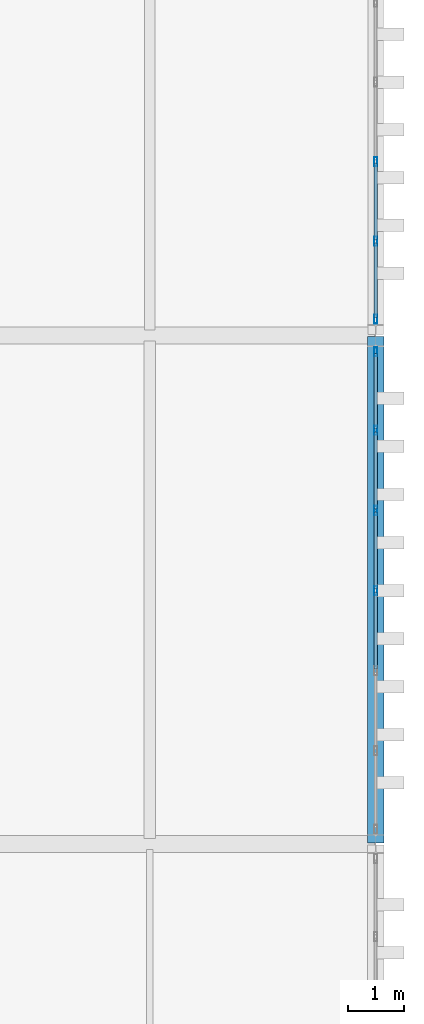
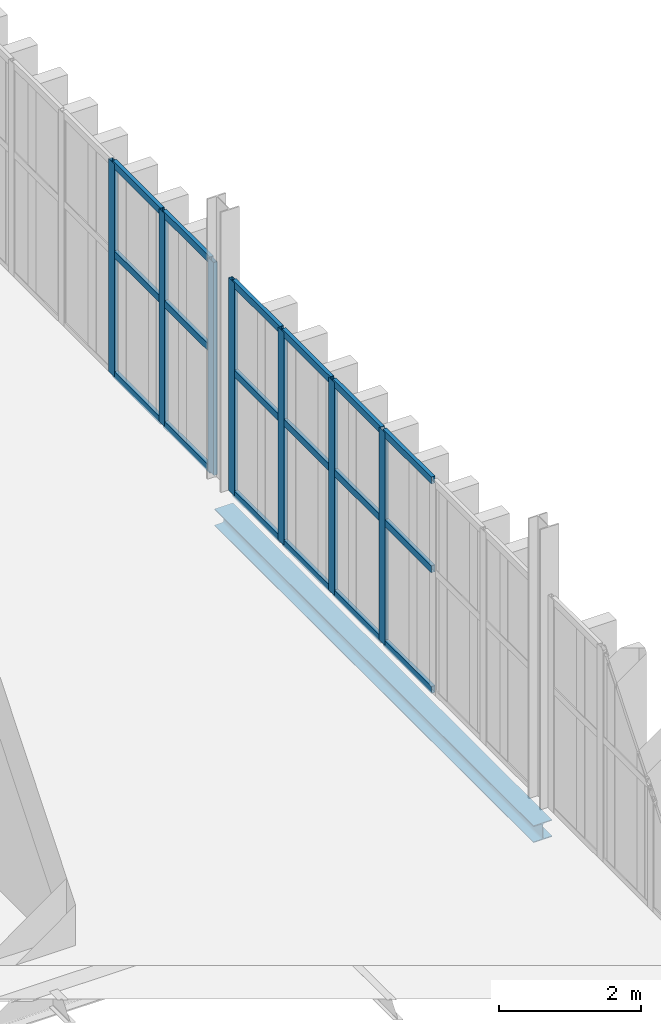
# One storey, part 125 of 196: 25 members, 1 beam, 2 elements without a shape of their own.
"""IFC4 building model written with IfcOpenShell, lengths in metres."""

import ifcopenshell
import ifcopenshell.guid

model = None  # the IFC model being written
_history = None  # IfcOwnerHistory: only IFC2X3 demands one
_inside = {}  # id of a spatial element -> (the spatial element, [elements in it])
_under = {}  # id of a project, library or spatial element -> (it, [spatial elements below it])
_declared = {}  # id of a project -> (the project, [libraries it declares])
_typed = {}  # id of a type object -> (the type object, [elements of that type])
_made_of = {}  # id of a material, layer set ... -> (it, [elements and type objects made of it])


def new_model(schema):
    """Start an empty IFC model of exactly this schema.

    Asked for "IFC4X3", IfcOpenShell would pick the latest addendum, in which some entities
    have other attributes; the version numbers below select the first issue.
    IFC2X3 requires an IfcOwnerHistory on every rooted entity: one is made here for all.
    """
    global model, _history
    if schema == "IFC4X3":
        model = ifcopenshell.file(schema_version=(4, 3, 0, 0))
    else:
        model = ifcopenshell.file(schema=schema)
    _inside.clear()
    _under.clear()
    _declared.clear()
    _typed.clear()
    _made_of.clear()
    _history = None
    if model.schema == "IFC2X3":
        org = make("IfcOrganization", Name="unknown")
        user = make(
            "IfcPersonAndOrganization",
            ThePerson=make("IfcPerson", FamilyName="unknown"),
            TheOrganization=org,
        )
        app = make(
            "IfcApplication",
            ApplicationDeveloper=org,
            Version="unknown",
            ApplicationFullName="unknown",
            ApplicationIdentifier="unknown",
        )
        _history = make(
            "IfcOwnerHistory",
            OwningUser=user,
            OwningApplication=app,
            ChangeAction="ADDED",
            CreationDate=0,
        )
    return model


def make(cls, **values):
    """One entity of the class cls with the attributes given. An attribute that is None is left unset."""
    return model.create_entity(
        cls, **{name: value for name, value in values.items() if value is not None}
    )


def rooted(cls, **values):
    """An entity with a GlobalId (a new one), such as an element, a storey or a relation."""
    return make(cls, GlobalId=ifcopenshell.guid.new(), OwnerHistory=_history, **values)


def si_unit(unit_type, name, prefix=None):
    """IfcSIUnit, for example si_unit("LENGTHUNIT", "METRE", prefix="MILLI")."""
    return make("IfcSIUnit", UnitType=unit_type, Prefix=prefix, Name=name)


def assignment(units):
    """IfcUnitAssignment: the units of a project."""
    return None if units is None else make("IfcUnitAssignment", Units=units)


def point(xyz):
    """IfcCartesianPoint."""
    return None if xyz is None else make("IfcCartesianPoint", Coordinates=xyz)


def direction(xyz):
    """IfcDirection."""
    return None if xyz is None else make("IfcDirection", DirectionRatios=xyz)


def frame(location, z_axis=None, x_axis=None):
    """IfcAxis2Placement3D, a coordinate frame: its origin and axes. An axis left out is left unset."""
    return make(
        "IfcAxis2Placement3D",
        Location=point(location),
        Axis=direction(z_axis),
        RefDirection=direction(x_axis),
    )


def frame_2d(location, x_axis=None):
    """IfcAxis2Placement2D, a coordinate frame in the plane: its origin and x axis."""
    return make(
        "IfcAxis2Placement2D", Location=point(location), RefDirection=direction(x_axis)
    )


def origin():
    """The frame at (0, 0, 0) with its axes left unset."""
    return frame((0.0, 0.0, 0.0))


def origin_2d():
    """The frame at (0, 0) in the plane with its x axis left unset."""
    return frame_2d((0.0, 0.0))


def place(relative_to, where):
    """IfcLocalPlacement: puts the frame where relative to a parent placement (None: the world)."""
    return make(
        "IfcLocalPlacement", PlacementRelTo=relative_to, RelativePlacement=where
    )


def context(
    kind, dimensions, precision=None, world=None, true_north=None, identifier=None
):
    """IfcGeometricRepresentationContext, for example the 3D "Model" context."""
    return make(
        "IfcGeometricRepresentationContext",
        ContextIdentifier=identifier,
        ContextType=kind,
        CoordinateSpaceDimension=dimensions,
        Precision=precision,
        WorldCoordinateSystem=world,
        TrueNorth=true_north,
    )


def subcontext(parent, identifier, kind, view, scale=None):
    """IfcGeometricRepresentationSubContext, for example "Body" below "Model"."""
    return make(
        "IfcGeometricRepresentationSubContext",
        ContextIdentifier=identifier,
        ContextType=kind,
        ParentContext=parent,
        TargetScale=scale,
        TargetView=view,
    )


def project(units=None, contexts=None):
    """IfcProject with its units and contexts."""
    return rooted(
        "IfcProject",
        Name="project",
        RepresentationContexts=contexts,
        UnitsInContext=assignment(units),
    )


def spatial(cls, under=None, at=None, **own):
    """A site, building, storey or space (cls), placed at a placement, below another one or the project."""
    s = rooted(cls, ObjectPlacement=at, **own)
    if under is not None:
        _under.setdefault(under.id(), (under, []))[1].append(s)
    return s


def profile(cls, at=None, kind="AREA", **sizes):
    """A parametric profile (cls). Its sizes go by their IFC names, for example OverallWidth=200.0."""
    return make(cls, ProfileType=kind, Position=at, **sizes)


def hollow_rectangle(**sizes):
    """IfcRectangleHollowProfileDef."""
    return profile("IfcRectangleHollowProfileDef", **sizes)


def i_section(**sizes):
    """IfcIShapeProfileDef."""
    return profile("IfcIShapeProfileDef", **sizes)


def extrude(swept, where, along, depth):
    """IfcExtrudedAreaSolid: the profile swept, set in the frame where, extruded along a direction by depth."""
    return make(
        "IfcExtrudedAreaSolid",
        SweptArea=swept,
        Position=where,
        ExtrudedDirection=direction(along),
        Depth=depth,
    )


def shape(context_of_items, identifier, shape_type, items):
    """IfcShapeRepresentation: the items that make up one representation, for example the "Body"."""
    return make(
        "IfcShapeRepresentation",
        ContextOfItems=context_of_items,
        RepresentationIdentifier=identifier,
        RepresentationType=shape_type,
        Items=items,
    )


def material(Name=None, Category=None):
    """IfcMaterial."""
    return make("IfcMaterial", Name=Name, Category=Category)


def layer(
    of_material, thickness, ventilated=None, Name=None, Category=None, Priority=None
):
    """IfcMaterialLayer: one layer of a wall or slab, of a material (None: an air gap)."""
    return make(
        "IfcMaterialLayer",
        Material=of_material,
        LayerThickness=thickness,
        IsVentilated=ventilated,
        Name=Name,
        Category=Category,
        Priority=Priority,
    )


def layer_set(layers, Name=None):
    """IfcMaterialLayerSet."""
    return make("IfcMaterialLayerSet", MaterialLayers=layers, LayerSetName=Name)


def material_profile(
    of_material, cross_section, Name=None, Category=None, Priority=None
):
    """IfcMaterialProfile: a cross section and its material."""
    return make(
        "IfcMaterialProfile",
        Name=Name,
        Material=of_material,
        Profile=cross_section,
        Priority=Priority,
        Category=Category,
    )


def profile_set(profiles, Name=None, composite=None):
    """IfcMaterialProfileSet."""
    return make(
        "IfcMaterialProfileSet",
        Name=Name,
        MaterialProfiles=profiles,
        CompositeProfile=composite,
    )


def made_of(thing, what):
    """Note that an element or type object is made of a material, layer set ...; save() writes the relation."""
    if what is not None:
        _made_of.setdefault(what.id(), (what, []))[1].append(thing)
    return thing


def type_object(cls, material=None, **own):
    """A type object (cls), such as IfcWallType, which elements share."""
    return made_of(rooted(cls, **own), material)


def element(
    cls,
    number,
    at=None,
    inside=None,
    cuts=None,
    type_object=None,
    material=None,
    context=None,
    identifier="Body",
    shape_type=None,
    held_by="IfcProductDefinitionShape",
    body=None,
    shapes=None,
    **own,
):
    """One element of the class cls, such as IfcWall. Its Tag is "e" and its number.

    at: its placement. inside: the storey or other place that contains it. cuts: it is an
    opening in that element (IfcRelVoidsElement). A single representation is given by context,
    identifier, shape_type and body (its items); several are given by shapes. held_by: the class
    of the entity that holds the representations. save() writes the other relations.
    """
    e = rooted(cls, Tag="e%d" % number, ObjectPlacement=at, **own)
    if body is not None:
        shapes = [shape(context, identifier, shape_type, body)]
    if shapes is not None:
        e.Representation = make(held_by, Representations=shapes)
    if inside is not None:
        _inside.setdefault(inside.id(), (inside, []))[1].append(e)
    if cuts is not None:
        rooted(
            "IfcRelVoidsElement", RelatingBuildingElement=cuts, RelatedOpeningElement=e
        )
    if type_object is not None:
        _typed.setdefault(type_object.id(), (type_object, []))[1].append(e)
    return made_of(e, material)


def aggregate(whole, parts):
    """IfcRelAggregates: a whole, such as a stair, and the parts it consists of."""
    return rooted("IfcRelAggregates", RelatingObject=whole, RelatedObjects=parts)


def save(model, path):
    """Write the relations noted so far, then the file.

    IfcRelAggregates (storeys below a building ...), IfcRelContainedInSpatialStructure (elements
    in a storey), IfcRelDefinesByType, IfcRelAssociatesMaterial and IfcRelDeclares: one each for
    every whole, place, type object, material and project.
    """
    for whole, parts in _under.values():
        aggregate(whole, parts)
    for where, things in _inside.values():
        rooted(
            "IfcRelContainedInSpatialStructure",
            RelatedElements=things,
            RelatingStructure=where,
        )
    for kind, things in _typed.values():
        rooted("IfcRelDefinesByType", RelatedObjects=things, RelatingType=kind)
    for what, things in _made_of.values():
        rooted("IfcRelAssociatesMaterial", RelatedObjects=things, RelatingMaterial=what)
    for by, libraries in _declared.values():
        rooted("IfcRelDeclares", RelatingContext=by, RelatedDefinitions=libraries)
    model.write(path)


model = new_model("IFC4")

# Units and contexts
model_context = context("Model", 3, precision=1e-05, world=origin(), true_north=direction((0.0, 1.0)))
body_context = subcontext(model_context, "Body", "Model", "MODEL_VIEW")
ifc_project = project(units=[si_unit("LENGTHUNIT", "METRE"), si_unit("AREAUNIT", "SQUARE_METRE"), si_unit("VOLUMEUNIT", "CUBIC_METRE"), si_unit("PLANEANGLEUNIT", "RADIAN"), si_unit("MASSUNIT", "GRAM", prefix="KILO")], contexts=[model_context])

# Site, building, storey
site_placement = place(None, origin())
site = spatial("IfcSite", under=ifc_project, at=site_placement, CompositionType="ELEMENT")
building_placement = place(site_placement, origin())
building = spatial("IfcBuilding", under=site, at=building_placement, Name="Barlavento Convention Centre", CompositionType="ELEMENT")
storey_placement = place(building_placement, frame((0.0, 0.0, 18.0)))
storey = spatial("IfcBuildingStorey", under=building, at=storey_placement, Name="L03", CompositionType="ELEMENT", Elevation=18.0)

# Curtain wall, members
ifc_material_1 = material(Name="Powder-coated aluminium and Low-E glass", Category="aluminium")
ifc_layer = layer(ifc_material_1, 0.179931640625)
ifc_layer_set = layer_set([ifc_layer], Name="ARC-CW-CONF-L03")
curtain_wall_type = type_object("IfcCurtainWallType", Name="ARC-CW-CONF-L03", PredefinedType="NOTDEFINED", material=ifc_layer_set)
curtain_wall_1_placement = place(storey_placement, origin())
curtain_wall_1 = element("IfcCurtainWall", 1, at=curtain_wall_1_placement, inside=storey, type_object=curtain_wall_type, Name="L03 unitised curtain wall CW08", PredefinedType="NOTDEFINED")
ifc_material_2 = material(Name="Powder-coated aluminium", Category="aluminium")
ifc_material_profile_1 = material_profile(ifc_material_2, hollow_rectangle(XDim=0.06005859375, YDim=0.159912109375, WallThickness=0.00390625, at=origin_2d()), Name="AL-MULL 60x160x4")
ifc_profile_set_1 = profile_set([ifc_material_profile_1], Name="Powder-coated aluminium")
member_type_1 = type_object("IfcMemberType", Name="ARC-CWM-60X160", PredefinedType="MULLION", material=ifc_profile_set_1)
member_1_placement = place(storey_placement, frame((192.0, 13.485107421875, 0.0), z_axis=(0.0, 0.0, 1.0), x_axis=(-1.0, 0.0, 0.0)))
member_1 = element("IfcMember", 2, at=member_1_placement, type_object=member_type_1, Name="CW08 mullion 4", PredefinedType="MULLION", context=body_context, shape_type="SweptSolid", body=[
    extrude(hollow_rectangle(XDim=0.06005859375, YDim=0.159912109375, WallThickness=0.00390625, at=origin_2d()), origin(), (0.0, 0.0, 1.0), 3.64990234375),
])
member_2_placement = place(storey_placement, frame((192.0, 14.9033203125, 0.0), z_axis=(0.0, 0.0, 1.0), x_axis=(-1.0, 0.0, 0.0)))
member_2 = element("IfcMember", 3, at=member_2_placement, type_object=member_type_1, Name="CW08 mullion 5", PredefinedType="MULLION", context=body_context, shape_type="SweptSolid", body=[
    extrude(hollow_rectangle(XDim=0.06005859375, YDim=0.159912109375, WallThickness=0.00390625, at=origin_2d()), origin(), (0.0, 0.0, 1.0), 3.64990234375),
])
member_3_placement = place(storey_placement, frame((192.0, 16.32177734375, 0.0), z_axis=(0.0, 0.0, 1.0), x_axis=(-1.0, 0.0, 0.0)))
member_3 = element("IfcMember", 4, at=member_3_placement, type_object=member_type_1, Name="CW08 mullion 6", PredefinedType="MULLION", context=body_context, shape_type="SweptSolid", body=[
    extrude(hollow_rectangle(XDim=0.06005859375, YDim=0.159912109375, WallThickness=0.00390625, at=origin_2d()), origin(), (0.0, 0.0, 1.0), 3.64990234375),
])
member_4_placement = place(storey_placement, frame((192.0, 17.7099609375, 0.0), z_axis=(0.0, 0.0, 1.0), x_axis=(-1.0, 0.0, 0.0)))
member_4 = element("IfcMember", 5, at=member_4_placement, type_object=member_type_1, Name="CW08 mullion 7", PredefinedType="MULLION", context=body_context, shape_type="SweptSolid", body=[
    extrude(hollow_rectangle(XDim=0.06005859375, YDim=0.159912109375, WallThickness=0.00390625, at=origin_2d()), origin(), (0.0, 0.0, 1.0), 3.64990234375),
])

curtain_wall_2_placement = place(storey_placement, origin())
curtain_wall_2 = element("IfcCurtainWall", 6, at=curtain_wall_2_placement, inside=storey, type_object=curtain_wall_type, Name="L03 unitised curtain wall CW08", PredefinedType="NOTDEFINED")
member_5_placement = place(storey_placement, frame((192.0, 18.2900390625, 0.0), z_axis=(0.0, 0.0, 1.0), x_axis=(-1.0, 0.0, 0.0)))
member_5 = element("IfcMember", 7, at=member_5_placement, type_object=member_type_1, Name="CW08 mullion 1", PredefinedType="MULLION", context=body_context, shape_type="SweptSolid", body=[
    extrude(hollow_rectangle(XDim=0.06005859375, YDim=0.159912109375, WallThickness=0.00390625, at=origin_2d()), origin(), (0.0, 0.0, 1.0), 3.64990234375),
])
member_6_placement = place(storey_placement, frame((192.0, 19.669189453125, 0.0), z_axis=(0.0, 0.0, 1.0), x_axis=(-1.0, 0.0, 0.0)))
member_6 = element("IfcMember", 8, at=member_6_placement, type_object=member_type_1, Name="CW08 mullion 2", PredefinedType="MULLION", context=body_context, shape_type="SweptSolid", body=[
    extrude(hollow_rectangle(XDim=0.06005859375, YDim=0.159912109375, WallThickness=0.00390625, at=origin_2d()), origin(), (0.0, 0.0, 1.0), 3.64990234375),
])
member_7_placement = place(storey_placement, frame((192.0, 21.078369140625, 0.0), z_axis=(0.0, 0.0, 1.0), x_axis=(-1.0, 0.0, 0.0)))
member_7 = element("IfcMember", 9, at=member_7_placement, type_object=member_type_1, Name="CW08 mullion 3", PredefinedType="MULLION", context=body_context, shape_type="SweptSolid", body=[
    extrude(hollow_rectangle(XDim=0.06005859375, YDim=0.159912109375, WallThickness=0.00390625, at=origin_2d()), origin(), (0.0, 0.0, 1.0), 3.64990234375),
])

# Member
ifc_material_profile_2 = material_profile(ifc_material_2, hollow_rectangle(XDim=0.06005859375, YDim=0.1201171875, WallThickness=0.00390625, at=origin_2d()), Name="AL-TRAN 60x120x4")
ifc_profile_set_2 = profile_set([ifc_material_profile_2], Name="Powder-coated aluminium")
member_type_2 = type_object("IfcMemberType", Name="ARC-CWT-60X120", PredefinedType="USERDEFINED", material=ifc_profile_set_2)
member_8_placement = place(storey_placement, frame((192.0, 12.0966796875, 0.030029296875), z_axis=(0.0, 1.0, 0.0), x_axis=(-1.0, 0.0, 0.0)))
member_8 = element("IfcMember", 10, at=member_8_placement, type_object=member_type_2, Name="CW08 transom 3.1", ObjectType="TRANSOM", PredefinedType="USERDEFINED", context=body_context, shape_type="SweptSolid", body=[
    extrude(hollow_rectangle(XDim=0.06005859375, YDim=0.1201171875, WallThickness=0.00390625, at=origin_2d()), origin(), (0.0, 0.0, 1.0), 1.3583984375),
])

member_9_placement = place(storey_placement, frame((192.0, 12.0966796875, 2.10009765625), z_axis=(0.0, 1.0, 0.0), x_axis=(-1.0, 0.0, 0.0)))
member_9 = element("IfcMember", 11, at=member_9_placement, type_object=member_type_2, Name="CW08 transom 3.2", ObjectType="TRANSOM", PredefinedType="USERDEFINED", context=body_context, shape_type="SweptSolid", body=[
    extrude(hollow_rectangle(XDim=0.06005859375, YDim=0.1201171875, WallThickness=0.00390625, at=origin_2d()), origin(), (0.0, 0.0, 1.0), 1.3583984375),
])

member_10_placement = place(storey_placement, frame((192.0, 12.0966796875, 3.6201171875), z_axis=(0.0, 1.0, 0.0), x_axis=(-1.0, 0.0, 0.0)))
member_10 = element("IfcMember", 12, at=member_10_placement, type_object=member_type_2, Name="CW08 transom 3.3", ObjectType="TRANSOM", PredefinedType="USERDEFINED", context=body_context, shape_type="SweptSolid", body=[
    extrude(hollow_rectangle(XDim=0.06005859375, YDim=0.1201171875, WallThickness=0.00390625, at=origin_2d()), origin(), (0.0, 0.0, 1.0), 1.3583984375),
])

member_11_placement = place(storey_placement, frame((192.0, 13.514892578125, 0.030029296875), z_axis=(0.0, 1.0, 0.0), x_axis=(-1.0, 0.0, 0.0)))
member_11 = element("IfcMember", 13, at=member_11_placement, type_object=member_type_2, Name="CW08 transom 4.1", ObjectType="TRANSOM", PredefinedType="USERDEFINED", context=body_context, shape_type="SweptSolid", body=[
    extrude(hollow_rectangle(XDim=0.06005859375, YDim=0.1201171875, WallThickness=0.00390625, at=origin_2d()), origin(), (0.0, 0.0, 1.0), 1.3583984375),
])

member_12_placement = place(storey_placement, frame((192.0, 13.514892578125, 2.10009765625), z_axis=(0.0, 1.0, 0.0), x_axis=(-1.0, 0.0, 0.0)))
member_12 = element("IfcMember", 14, at=member_12_placement, type_object=member_type_2, Name="CW08 transom 4.2", ObjectType="TRANSOM", PredefinedType="USERDEFINED", context=body_context, shape_type="SweptSolid", body=[
    extrude(hollow_rectangle(XDim=0.06005859375, YDim=0.1201171875, WallThickness=0.00390625, at=origin_2d()), origin(), (0.0, 0.0, 1.0), 1.3583984375),
])

member_13_placement = place(storey_placement, frame((192.0, 13.514892578125, 3.6201171875), z_axis=(0.0, 1.0, 0.0), x_axis=(-1.0, 0.0, 0.0)))
member_13 = element("IfcMember", 15, at=member_13_placement, type_object=member_type_2, Name="CW08 transom 4.3", ObjectType="TRANSOM", PredefinedType="USERDEFINED", context=body_context, shape_type="SweptSolid", body=[
    extrude(hollow_rectangle(XDim=0.06005859375, YDim=0.1201171875, WallThickness=0.00390625, at=origin_2d()), origin(), (0.0, 0.0, 1.0), 1.3583984375),
])

member_14_placement = place(storey_placement, frame((192.0, 14.933349609375, 0.030029296875), z_axis=(0.0, 1.0, 0.0), x_axis=(-1.0, 0.0, 0.0)))
member_14 = element("IfcMember", 16, at=member_14_placement, type_object=member_type_2, Name="CW08 transom 5.1", ObjectType="TRANSOM", PredefinedType="USERDEFINED", context=body_context, shape_type="SweptSolid", body=[
    extrude(hollow_rectangle(XDim=0.06005859375, YDim=0.1201171875, WallThickness=0.00390625, at=origin_2d()), origin(), (0.0, 0.0, 1.0), 1.3583984375),
])

member_15_placement = place(storey_placement, frame((192.0, 14.933349609375, 2.10009765625), z_axis=(0.0, 1.0, 0.0), x_axis=(-1.0, 0.0, 0.0)))
member_15 = element("IfcMember", 17, at=member_15_placement, type_object=member_type_2, Name="CW08 transom 5.2", ObjectType="TRANSOM", PredefinedType="USERDEFINED", context=body_context, shape_type="SweptSolid", body=[
    extrude(hollow_rectangle(XDim=0.06005859375, YDim=0.1201171875, WallThickness=0.00390625, at=origin_2d()), origin(), (0.0, 0.0, 1.0), 1.3583984375),
])

member_16_placement = place(storey_placement, frame((192.0, 14.933349609375, 3.6201171875), z_axis=(0.0, 1.0, 0.0), x_axis=(-1.0, 0.0, 0.0)))
member_16 = element("IfcMember", 18, at=member_16_placement, type_object=member_type_2, Name="CW08 transom 5.3", ObjectType="TRANSOM", PredefinedType="USERDEFINED", context=body_context, shape_type="SweptSolid", body=[
    extrude(hollow_rectangle(XDim=0.06005859375, YDim=0.1201171875, WallThickness=0.00390625, at=origin_2d()), origin(), (0.0, 0.0, 1.0), 1.3583984375),
])

member_17_placement = place(storey_placement, frame((192.0, 16.3515625, 0.030029296875), z_axis=(0.0, 1.0, 0.0), x_axis=(-1.0, 0.0, 0.0)))
member_17 = element("IfcMember", 19, at=member_17_placement, type_object=member_type_2, Name="CW08 transom 6.1", ObjectType="TRANSOM", PredefinedType="USERDEFINED", context=body_context, shape_type="SweptSolid", body=[
    extrude(hollow_rectangle(XDim=0.06005859375, YDim=0.1201171875, WallThickness=0.00390625, at=origin_2d()), origin(), (0.0, 0.0, 1.0), 1.328369140625),
])

member_18_placement = place(storey_placement, frame((192.0, 16.3515625, 2.10009765625), z_axis=(0.0, 1.0, 0.0), x_axis=(-1.0, 0.0, 0.0)))
member_18 = element("IfcMember", 20, at=member_18_placement, type_object=member_type_2, Name="CW08 transom 6.2", ObjectType="TRANSOM", PredefinedType="USERDEFINED", context=body_context, shape_type="SweptSolid", body=[
    extrude(hollow_rectangle(XDim=0.06005859375, YDim=0.1201171875, WallThickness=0.00390625, at=origin_2d()), origin(), (0.0, 0.0, 1.0), 1.328369140625),
])

member_19_placement = place(storey_placement, frame((192.0, 16.3515625, 3.6201171875), z_axis=(0.0, 1.0, 0.0), x_axis=(-1.0, 0.0, 0.0)))
member_19 = element("IfcMember", 21, at=member_19_placement, type_object=member_type_2, Name="CW08 transom 6.3", ObjectType="TRANSOM", PredefinedType="USERDEFINED", context=body_context, shape_type="SweptSolid", body=[
    extrude(hollow_rectangle(XDim=0.06005859375, YDim=0.1201171875, WallThickness=0.00390625, at=origin_2d()), origin(), (0.0, 0.0, 1.0), 1.328369140625),
])

aggregate(curtain_wall_1, [member_1, member_2, member_3, member_4, member_8, member_9, member_10, member_11, member_12, member_13, member_14, member_15, member_16, member_17, member_18, member_19])

member_20_placement = place(storey_placement, frame((192.0, 18.320068359375, 0.030029296875), z_axis=(0.0, 1.0, 0.0), x_axis=(-1.0, 0.0, 0.0)))
member_20 = element("IfcMember", 22, at=member_20_placement, type_object=member_type_2, Name="CW08 transom 1.1", ObjectType="TRANSOM", PredefinedType="USERDEFINED", context=body_context, shape_type="SweptSolid", body=[
    extrude(hollow_rectangle(XDim=0.06005859375, YDim=0.1201171875, WallThickness=0.00390625, at=origin_2d()), origin(), (0.0, 0.0, 1.0), 1.319091796875),
])

member_21_placement = place(storey_placement, frame((192.0, 18.320068359375, 2.10009765625), z_axis=(0.0, 1.0, 0.0), x_axis=(-1.0, 0.0, 0.0)))
member_21 = element("IfcMember", 23, at=member_21_placement, type_object=member_type_2, Name="CW08 transom 1.2", ObjectType="TRANSOM", PredefinedType="USERDEFINED", context=body_context, shape_type="SweptSolid", body=[
    extrude(hollow_rectangle(XDim=0.06005859375, YDim=0.1201171875, WallThickness=0.00390625, at=origin_2d()), origin(), (0.0, 0.0, 1.0), 1.319091796875),
])

member_22_placement = place(storey_placement, frame((192.0, 18.320068359375, 3.6201171875), z_axis=(0.0, 1.0, 0.0), x_axis=(-1.0, 0.0, 0.0)))
member_22 = element("IfcMember", 24, at=member_22_placement, type_object=member_type_2, Name="CW08 transom 1.3", ObjectType="TRANSOM", PredefinedType="USERDEFINED", context=body_context, shape_type="SweptSolid", body=[
    extrude(hollow_rectangle(XDim=0.06005859375, YDim=0.1201171875, WallThickness=0.00390625, at=origin_2d()), origin(), (0.0, 0.0, 1.0), 1.319091796875),
])

member_23_placement = place(storey_placement, frame((192.0, 19.69921875, 0.030029296875), z_axis=(0.0, 1.0, 0.0), x_axis=(-1.0, 0.0, 0.0)))
member_23 = element("IfcMember", 25, at=member_23_placement, type_object=member_type_2, Name="CW08 transom 2.1", ObjectType="TRANSOM", PredefinedType="USERDEFINED", context=body_context, shape_type="SweptSolid", body=[
    extrude(hollow_rectangle(XDim=0.06005859375, YDim=0.1201171875, WallThickness=0.00390625, at=origin_2d()), origin(), (0.0, 0.0, 1.0), 1.34912109375),
])

member_24_placement = place(storey_placement, frame((192.0, 19.69921875, 2.10009765625), z_axis=(0.0, 1.0, 0.0), x_axis=(-1.0, 0.0, 0.0)))
member_24 = element("IfcMember", 26, at=member_24_placement, type_object=member_type_2, Name="CW08 transom 2.2", ObjectType="TRANSOM", PredefinedType="USERDEFINED", context=body_context, shape_type="SweptSolid", body=[
    extrude(hollow_rectangle(XDim=0.06005859375, YDim=0.1201171875, WallThickness=0.00390625, at=origin_2d()), origin(), (0.0, 0.0, 1.0), 1.34912109375),
])

member_25_placement = place(storey_placement, frame((192.0, 19.69921875, 3.6201171875), z_axis=(0.0, 1.0, 0.0), x_axis=(-1.0, 0.0, 0.0)))
member_25 = element("IfcMember", 27, at=member_25_placement, type_object=member_type_2, Name="CW08 transom 2.3", ObjectType="TRANSOM", PredefinedType="USERDEFINED", context=body_context, shape_type="SweptSolid", body=[
    extrude(hollow_rectangle(XDim=0.06005859375, YDim=0.1201171875, WallThickness=0.00390625, at=origin_2d()), origin(), (0.0, 0.0, 1.0), 1.34912109375),
])

aggregate(curtain_wall_2, [member_5, member_6, member_7, member_20, member_21, member_22, member_23, member_24, member_25])

# Beam
ifc_material_3 = material(Name="Steel S355", Category="steel")
ifc_material_profile_3 = material_profile(ifc_material_3, i_section(OverallWidth=0.300048828125, OverallDepth=0.2900390625, WebThickness=0.008544921875, FlangeThickness=0.013916015625, FilletRadius=0.027099609375, at=origin_2d()), Name="HEA 300")
ifc_profile_set_3 = profile_set([ifc_material_profile_3], Name="Steel S355")
beam_type = type_object("IfcBeamType", Name="STR-BM-SPN-HEA300", PredefinedType="SPANDREL", material=ifc_profile_set_3)
beam_placement = place(storey_placement, frame((192.0, 9.02001953125, -0.534912109375), z_axis=(0.0, 1.0, 0.0), x_axis=(-1.0, 0.0, 0.0)))
element("IfcBeam", 28, at=beam_placement, inside=storey, type_object=beam_type, Name="L03 grid girder SP02", PredefinedType="SPANDREL", context=body_context, shape_type="SweptSolid", body=[
    extrude(i_section(OverallWidth=0.300048828125, OverallDepth=0.2900390625, WebThickness=0.008544921875, FlangeThickness=0.013916015625, FilletRadius=0.027099609375, at=origin_2d()), origin(), (0.0, 0.0, 1.0), 8.9599609375),
])

save(model, "model.ifc")
